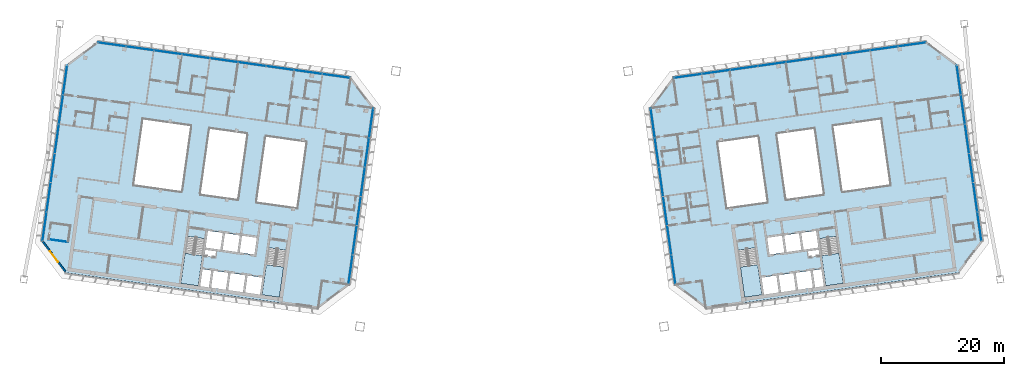
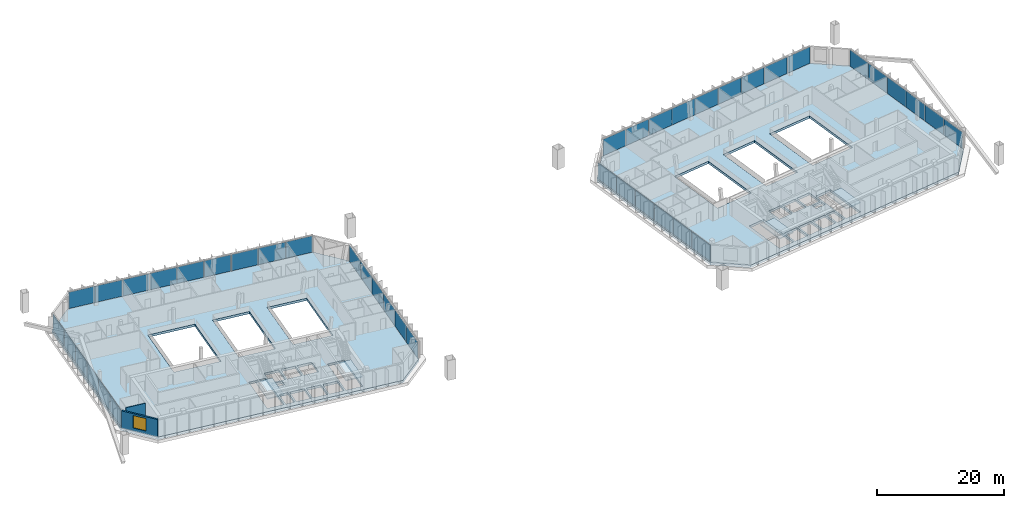
# One storey, part 12 of 23: 42 plates, 6 slabs, 2 walls, 1 window, 1 opening, 10 elements without a shape of their own.
"""IFC4 building model written with IfcOpenShell, lengths in metres."""

import ifcopenshell
import ifcopenshell.guid

model = None  # the IFC model being written
_history = None  # IfcOwnerHistory: only IFC2X3 demands one
_inside = {}  # id of a spatial element -> (the spatial element, [elements in it])
_under = {}  # id of a project, library or spatial element -> (it, [spatial elements below it])
_declared = {}  # id of a project -> (the project, [libraries it declares])
_typed = {}  # id of a type object -> (the type object, [elements of that type])
_made_of = {}  # id of a material, layer set ... -> (it, [elements and type objects made of it])


def new_model(schema):
    """Start an empty IFC model of exactly this schema.

    Asked for "IFC4X3", IfcOpenShell would pick the latest addendum, in which some entities
    have other attributes; the version numbers below select the first issue.
    IFC2X3 requires an IfcOwnerHistory on every rooted entity: one is made here for all.
    """
    global model, _history
    if schema == "IFC4X3":
        model = ifcopenshell.file(schema_version=(4, 3, 0, 0))
    else:
        model = ifcopenshell.file(schema=schema)
    _inside.clear()
    _under.clear()
    _declared.clear()
    _typed.clear()
    _made_of.clear()
    _history = None
    if model.schema == "IFC2X3":
        org = make("IfcOrganization", Name="unknown")
        user = make(
            "IfcPersonAndOrganization",
            ThePerson=make("IfcPerson", FamilyName="unknown"),
            TheOrganization=org,
        )
        app = make(
            "IfcApplication",
            ApplicationDeveloper=org,
            Version="unknown",
            ApplicationFullName="unknown",
            ApplicationIdentifier="unknown",
        )
        _history = make(
            "IfcOwnerHistory",
            OwningUser=user,
            OwningApplication=app,
            ChangeAction="ADDED",
            CreationDate=0,
        )
    return model


def make(cls, **values):
    """One entity of the class cls with the attributes given. An attribute that is None is left unset."""
    return model.create_entity(
        cls, **{name: value for name, value in values.items() if value is not None}
    )


def rooted(cls, **values):
    """An entity with a GlobalId (a new one), such as an element, a storey or a relation."""
    return make(cls, GlobalId=ifcopenshell.guid.new(), OwnerHistory=_history, **values)


def si_unit(unit_type, name, prefix=None):
    """IfcSIUnit, for example si_unit("LENGTHUNIT", "METRE", prefix="MILLI")."""
    return make("IfcSIUnit", UnitType=unit_type, Prefix=prefix, Name=name)


def assignment(units):
    """IfcUnitAssignment: the units of a project."""
    return None if units is None else make("IfcUnitAssignment", Units=units)


def point(xyz):
    """IfcCartesianPoint."""
    return None if xyz is None else make("IfcCartesianPoint", Coordinates=xyz)


def direction(xyz):
    """IfcDirection."""
    return None if xyz is None else make("IfcDirection", DirectionRatios=xyz)


def frame(location, z_axis=None, x_axis=None):
    """IfcAxis2Placement3D, a coordinate frame: its origin and axes. An axis left out is left unset."""
    return make(
        "IfcAxis2Placement3D",
        Location=point(location),
        Axis=direction(z_axis),
        RefDirection=direction(x_axis),
    )


def frame_2d(location, x_axis=None):
    """IfcAxis2Placement2D, a coordinate frame in the plane: its origin and x axis."""
    return make(
        "IfcAxis2Placement2D", Location=point(location), RefDirection=direction(x_axis)
    )


def origin():
    """The frame at (0, 0, 0) with its axes left unset."""
    return frame((0.0, 0.0, 0.0))


def origin_2d():
    """The frame at (0, 0) in the plane with its x axis left unset."""
    return frame_2d((0.0, 0.0))


def place(relative_to, where):
    """IfcLocalPlacement: puts the frame where relative to a parent placement (None: the world)."""
    return make(
        "IfcLocalPlacement", PlacementRelTo=relative_to, RelativePlacement=where
    )


def context(
    kind, dimensions, precision=None, world=None, true_north=None, identifier=None
):
    """IfcGeometricRepresentationContext, for example the 3D "Model" context."""
    return make(
        "IfcGeometricRepresentationContext",
        ContextIdentifier=identifier,
        ContextType=kind,
        CoordinateSpaceDimension=dimensions,
        Precision=precision,
        WorldCoordinateSystem=world,
        TrueNorth=true_north,
    )


def subcontext(parent, identifier, kind, view, scale=None):
    """IfcGeometricRepresentationSubContext, for example "Body" below "Model"."""
    return make(
        "IfcGeometricRepresentationSubContext",
        ContextIdentifier=identifier,
        ContextType=kind,
        ParentContext=parent,
        TargetScale=scale,
        TargetView=view,
    )


def project(units=None, contexts=None):
    """IfcProject with its units and contexts."""
    return rooted(
        "IfcProject",
        Name="project",
        RepresentationContexts=contexts,
        UnitsInContext=assignment(units),
    )


def spatial(cls, under=None, at=None, **own):
    """A site, building, storey or space (cls), placed at a placement, below another one or the project."""
    s = rooted(cls, ObjectPlacement=at, **own)
    if under is not None:
        _under.setdefault(under.id(), (under, []))[1].append(s)
    return s


def polyline(points):
    """IfcPolyline through the points."""
    return make("IfcPolyline", Points=[point(p) for p in points])


def profile(cls, at=None, kind="AREA", **sizes):
    """A parametric profile (cls). Its sizes go by their IFC names, for example OverallWidth=200.0."""
    return make(cls, ProfileType=kind, Position=at, **sizes)


def rectangle(**sizes):
    """IfcRectangleProfileDef."""
    return profile("IfcRectangleProfileDef", **sizes)


def outline(outer, holes=None, kind="AREA"):
    """IfcArbitraryClosedProfileDef: a profile drawn as a closed curve; with holes, ...WithVoids."""
    if holes is None:
        return make("IfcArbitraryClosedProfileDef", ProfileType=kind, OuterCurve=outer)
    return make(
        "IfcArbitraryProfileDefWithVoids",
        ProfileType=kind,
        OuterCurve=outer,
        InnerCurves=holes,
    )


def extrude(swept, where, along, depth):
    """IfcExtrudedAreaSolid: the profile swept, set in the frame where, extruded along a direction by depth."""
    return make(
        "IfcExtrudedAreaSolid",
        SweptArea=swept,
        Position=where,
        ExtrudedDirection=direction(along),
        Depth=depth,
    )


def shape(context_of_items, identifier, shape_type, items):
    """IfcShapeRepresentation: the items that make up one representation, for example the "Body"."""
    return make(
        "IfcShapeRepresentation",
        ContextOfItems=context_of_items,
        RepresentationIdentifier=identifier,
        RepresentationType=shape_type,
        Items=items,
    )


def material(Name=None, Category=None):
    """IfcMaterial."""
    return make("IfcMaterial", Name=Name, Category=Category)


def layer(
    of_material, thickness, ventilated=None, Name=None, Category=None, Priority=None
):
    """IfcMaterialLayer: one layer of a wall or slab, of a material (None: an air gap)."""
    return make(
        "IfcMaterialLayer",
        Material=of_material,
        LayerThickness=thickness,
        IsVentilated=ventilated,
        Name=Name,
        Category=Category,
        Priority=Priority,
    )


def layer_set(layers, Name=None):
    """IfcMaterialLayerSet."""
    return make("IfcMaterialLayerSet", MaterialLayers=layers, LayerSetName=Name)


def made_of(thing, what):
    """Note that an element or type object is made of a material, layer set ...; save() writes the relation."""
    if what is not None:
        _made_of.setdefault(what.id(), (what, []))[1].append(thing)
    return thing


def type_object(cls, material=None, **own):
    """A type object (cls), such as IfcWallType, which elements share."""
    return made_of(rooted(cls, **own), material)


def element(
    cls,
    number,
    at=None,
    inside=None,
    cuts=None,
    type_object=None,
    material=None,
    context=None,
    identifier="Body",
    shape_type=None,
    held_by="IfcProductDefinitionShape",
    body=None,
    shapes=None,
    **own,
):
    """One element of the class cls, such as IfcWall. Its Tag is "e" and its number.

    at: its placement. inside: the storey or other place that contains it. cuts: it is an
    opening in that element (IfcRelVoidsElement). A single representation is given by context,
    identifier, shape_type and body (its items); several are given by shapes. held_by: the class
    of the entity that holds the representations. save() writes the other relations.
    """
    e = rooted(cls, Tag="e%d" % number, ObjectPlacement=at, **own)
    if body is not None:
        shapes = [shape(context, identifier, shape_type, body)]
    if shapes is not None:
        e.Representation = make(held_by, Representations=shapes)
    if inside is not None:
        _inside.setdefault(inside.id(), (inside, []))[1].append(e)
    if cuts is not None:
        rooted(
            "IfcRelVoidsElement", RelatingBuildingElement=cuts, RelatedOpeningElement=e
        )
    if type_object is not None:
        _typed.setdefault(type_object.id(), (type_object, []))[1].append(e)
    return made_of(e, material)


def fill(opening, filler):
    """IfcRelFillsElement: the door or window that sits in an opening."""
    return rooted(
        "IfcRelFillsElement",
        RelatingOpeningElement=opening,
        RelatedBuildingElement=filler,
    )


def aggregate(whole, parts):
    """IfcRelAggregates: a whole, such as a stair, and the parts it consists of."""
    return rooted("IfcRelAggregates", RelatingObject=whole, RelatedObjects=parts)


def save(model, path):
    """Write the relations noted so far, then the file.

    IfcRelAggregates (storeys below a building ...), IfcRelContainedInSpatialStructure (elements
    in a storey), IfcRelDefinesByType, IfcRelAssociatesMaterial and IfcRelDeclares: one each for
    every whole, place, type object, material and project.
    """
    for whole, parts in _under.values():
        aggregate(whole, parts)
    for where, things in _inside.values():
        rooted(
            "IfcRelContainedInSpatialStructure",
            RelatedElements=things,
            RelatingStructure=where,
        )
    for kind, things in _typed.values():
        rooted("IfcRelDefinesByType", RelatedObjects=things, RelatingType=kind)
    for what, things in _made_of.values():
        rooted("IfcRelAssociatesMaterial", RelatedObjects=things, RelatingMaterial=what)
    for by, libraries in _declared.values():
        rooted("IfcRelDeclares", RelatingContext=by, RelatedDefinitions=libraries)
    model.write(path)


model = new_model("IFC4")

# Units and contexts
model_context = context("Model", 3, precision=1e-05, world=origin(), true_north=direction((0.0, 1.0)))
body_context = subcontext(model_context, "Body", "Model", "MODEL_VIEW")
ifc_project = project(units=[si_unit("LENGTHUNIT", "METRE"), si_unit("AREAUNIT", "SQUARE_METRE"), si_unit("VOLUMEUNIT", "CUBIC_METRE"), si_unit("PLANEANGLEUNIT", "RADIAN"), si_unit("MASSUNIT", "GRAM", prefix="KILO")], contexts=[model_context])

# Site, building, storey
site_placement = place(None, origin())
site = spatial("IfcSite", under=ifc_project, at=site_placement, CompositionType="ELEMENT")
building_placement = place(site_placement, origin())
building = spatial("IfcBuilding", under=site, at=building_placement, Name="Mirante Cascada Hotel Towers", CompositionType="ELEMENT")
storey_placement = place(building_placement, frame((0.0, 0.0, 220.4)))
storey = spatial("IfcBuildingStorey", under=building, at=storey_placement, Name="L52", CompositionType="ELEMENT", Elevation=220.4)

# Curtain wall, plates
ifc_material_1 = material(Name="Aluminium mullion and transom frame with clear laminated glass", Category="aluminium")
curtain_wall_type_1 = type_object("IfcCurtainWallType", Name="Ribbon curtain wall ECW1", PredefinedType="NOTDEFINED", material=ifc_material_1)
curtain_wall_1_placement = place(storey_placement, origin())
curtain_wall_1 = element("IfcCurtainWall", 1, at=curtain_wall_1_placement, inside=storey, type_object=curtain_wall_type_1, Name="Front ribbon wall T1 L52", PredefinedType="NOTDEFINED")
ifc_material_2 = material(Name="Clear laminated glass", Category="glass")
ifc_layer_1 = layer(ifc_material_2, 0.036)
ifc_layer_set_1 = layer_set([ifc_layer_1], Name="ECW1 glass panel 36")
plate_type_1 = type_object("IfcPlateType", Name="ECW1 glass panel 36", PredefinedType="CURTAIN_PANEL", material=ifc_layer_set_1)
plate_1_placement = place(storey_placement, frame((-65.1227, 21.9714, 0.1), z_axis=(0.0, 0.0, 1.0), x_axis=(0.9902681, -0.1391731, 0.0)))
plate_1 = element("IfcPlate", 2, at=plate_1_placement, type_object=plate_type_1, Name="ECW1 panel 1", PredefinedType="CURTAIN_PANEL", context=body_context, shape_type="SweptSolid", body=[
    extrude(rectangle(XDim=4.5116, YDim=0.036, at=origin_2d()), origin(), (0.0, 0.0, 1.0), 3.15),
])
plate_2_placement = place(storey_placement, frame((-60.5745, 21.3322, 0.1), z_axis=(0.0, 0.0, 1.0), x_axis=(0.9902681, -0.1391731, 0.0)))
plate_2 = element("IfcPlate", 3, at=plate_2_placement, type_object=plate_type_1, Name="ECW1 panel 2", PredefinedType="CURTAIN_PANEL", context=body_context, shape_type="SweptSolid", body=[
    extrude(rectangle(XDim=4.5441, YDim=0.036, at=origin_2d()), origin(), (0.0, 0.0, 1.0), 3.15),
])
plate_3_placement = place(storey_placement, frame((-56.0102, 20.6907, 0.1), z_axis=(0.0, 0.0, 1.0), x_axis=(0.9902681, -0.1391731, 0.0)))
plate_3 = element("IfcPlate", 4, at=plate_3_placement, type_object=plate_type_1, Name="ECW1 panel 3", PredefinedType="CURTAIN_PANEL", context=body_context, shape_type="SweptSolid", body=[
    extrude(rectangle(XDim=4.5441, YDim=0.036, at=origin_2d()), origin(), (0.0, 0.0, 1.0), 3.15),
])
plate_4_placement = place(storey_placement, frame((-51.4459, 20.0493, 0.1), z_axis=(0.0, 0.0, 1.0), x_axis=(0.9902681, -0.1391731, 0.0)))
plate_4 = element("IfcPlate", 5, at=plate_4_placement, type_object=plate_type_1, Name="ECW1 panel 4", PredefinedType="CURTAIN_PANEL", context=body_context, shape_type="SweptSolid", body=[
    extrude(rectangle(XDim=4.5441, YDim=0.036, at=origin_2d()), origin(), (0.0, 0.0, 1.0), 3.15),
])
plate_5_placement = place(storey_placement, frame((-46.8816, 19.4078, 0.1), z_axis=(0.0, 0.0, 1.0), x_axis=(0.9902681, -0.1391731, 0.0)))
plate_5 = element("IfcPlate", 6, at=plate_5_placement, type_object=plate_type_1, Name="ECW1 panel 5", PredefinedType="CURTAIN_PANEL", context=body_context, shape_type="SweptSolid", body=[
    extrude(rectangle(XDim=4.5441, YDim=0.036, at=origin_2d()), origin(), (0.0, 0.0, 1.0), 3.15),
])
plate_6_placement = place(storey_placement, frame((-42.3174, 18.7663, 0.1), z_axis=(0.0, 0.0, 1.0), x_axis=(0.9902681, -0.1391731, 0.0)))
plate_6 = element("IfcPlate", 7, at=plate_6_placement, type_object=plate_type_1, Name="ECW1 panel 6", PredefinedType="CURTAIN_PANEL", context=body_context, shape_type="SweptSolid", body=[
    extrude(rectangle(XDim=4.5441, YDim=0.036, at=origin_2d()), origin(), (0.0, 0.0, 1.0), 3.15),
])
plate_7_placement = place(storey_placement, frame((-37.7531, 18.1249, 0.1), z_axis=(0.0, 0.0, 1.0), x_axis=(0.9902681, -0.1391731, 0.0)))
plate_7 = element("IfcPlate", 8, at=plate_7_placement, type_object=plate_type_1, Name="ECW1 panel 7", PredefinedType="CURTAIN_PANEL", context=body_context, shape_type="SweptSolid", body=[
    extrude(rectangle(XDim=4.5441, YDim=0.036, at=origin_2d()), origin(), (0.0, 0.0, 1.0), 3.15),
])
plate_8_placement = place(storey_placement, frame((-33.1888, 17.4834, 0.1), z_axis=(0.0, 0.0, 1.0), x_axis=(0.9902681, -0.1391731, 0.0)))
plate_8 = element("IfcPlate", 9, at=plate_8_placement, type_object=plate_type_1, Name="ECW1 panel 8", PredefinedType="CURTAIN_PANEL", context=body_context, shape_type="SweptSolid", body=[
    extrude(rectangle(XDim=4.5441, YDim=0.036, at=origin_2d()), origin(), (0.0, 0.0, 1.0), 3.15),
])
plate_9_placement = place(storey_placement, frame((-28.6406, 16.8442, 0.1), z_axis=(0.0, 0.0, 1.0), x_axis=(0.9902681, -0.1391731, 0.0)))
plate_9 = element("IfcPlate", 10, at=plate_9_placement, type_object=plate_type_1, Name="ECW1 panel 9", PredefinedType="CURTAIN_PANEL", context=body_context, shape_type="SweptSolid", body=[
    extrude(rectangle(XDim=4.5116, YDim=0.036, at=origin_2d()), origin(), (0.0, 0.0, 1.0), 3.15),
])
aggregate(curtain_wall_1, [plate_1, plate_2, plate_3, plate_4, plate_5, plate_6, plate_7, plate_8, plate_9])

curtain_wall_2_placement = place(storey_placement, origin())
curtain_wall_2 = element("IfcCurtainWall", 11, at=curtain_wall_2_placement, inside=storey, type_object=curtain_wall_type_1, Name="Front ribbon wall T2 L52", PredefinedType="NOTDEFINED")
plate_10_placement = place(storey_placement, frame((65.1227, 21.9714, 0.1), z_axis=(0.0, 0.0, 1.0), x_axis=(-0.9902681, -0.1391731, 0.0)))
plate_10 = element("IfcPlate", 12, at=plate_10_placement, type_object=plate_type_1, Name="ECW1 panel 1", PredefinedType="CURTAIN_PANEL", context=body_context, shape_type="SweptSolid", body=[
    extrude(rectangle(XDim=4.5116, YDim=0.036, at=origin_2d()), origin(), (0.0, 0.0, 1.0), 3.15),
])
plate_11_placement = place(storey_placement, frame((60.5745, 21.3322, 0.1), z_axis=(0.0, 0.0, 1.0), x_axis=(-0.9902681, -0.1391731, 0.0)))
plate_11 = element("IfcPlate", 13, at=plate_11_placement, type_object=plate_type_1, Name="ECW1 panel 2", PredefinedType="CURTAIN_PANEL", context=body_context, shape_type="SweptSolid", body=[
    extrude(rectangle(XDim=4.5441, YDim=0.036, at=origin_2d()), origin(), (0.0, 0.0, 1.0), 3.15),
])
plate_12_placement = place(storey_placement, frame((56.0102, 20.6907, 0.1), z_axis=(0.0, 0.0, 1.0), x_axis=(-0.9902681, -0.1391731, 0.0)))
plate_12 = element("IfcPlate", 14, at=plate_12_placement, type_object=plate_type_1, Name="ECW1 panel 3", PredefinedType="CURTAIN_PANEL", context=body_context, shape_type="SweptSolid", body=[
    extrude(rectangle(XDim=4.5441, YDim=0.036, at=origin_2d()), origin(), (0.0, 0.0, 1.0), 3.15),
])
plate_13_placement = place(storey_placement, frame((51.4459, 20.0493, 0.1), z_axis=(0.0, 0.0, 1.0), x_axis=(-0.9902681, -0.1391731, 0.0)))
plate_13 = element("IfcPlate", 15, at=plate_13_placement, type_object=plate_type_1, Name="ECW1 panel 4", PredefinedType="CURTAIN_PANEL", context=body_context, shape_type="SweptSolid", body=[
    extrude(rectangle(XDim=4.5441, YDim=0.036, at=origin_2d()), origin(), (0.0, 0.0, 1.0), 3.15),
])
plate_14_placement = place(storey_placement, frame((46.8816, 19.4078, 0.1), z_axis=(0.0, 0.0, 1.0), x_axis=(-0.9902681, -0.1391731, 0.0)))
plate_14 = element("IfcPlate", 16, at=plate_14_placement, type_object=plate_type_1, Name="ECW1 panel 5", PredefinedType="CURTAIN_PANEL", context=body_context, shape_type="SweptSolid", body=[
    extrude(rectangle(XDim=4.5441, YDim=0.036, at=origin_2d()), origin(), (0.0, 0.0, 1.0), 3.15),
])
plate_15_placement = place(storey_placement, frame((42.3174, 18.7663, 0.1), z_axis=(0.0, 0.0, 1.0), x_axis=(-0.9902681, -0.1391731, 0.0)))
plate_15 = element("IfcPlate", 17, at=plate_15_placement, type_object=plate_type_1, Name="ECW1 panel 6", PredefinedType="CURTAIN_PANEL", context=body_context, shape_type="SweptSolid", body=[
    extrude(rectangle(XDim=4.5441, YDim=0.036, at=origin_2d()), origin(), (0.0, 0.0, 1.0), 3.15),
])
plate_16_placement = place(storey_placement, frame((37.7531, 18.1249, 0.1), z_axis=(0.0, 0.0, 1.0), x_axis=(-0.9902681, -0.1391731, 0.0)))
plate_16 = element("IfcPlate", 18, at=plate_16_placement, type_object=plate_type_1, Name="ECW1 panel 7", PredefinedType="CURTAIN_PANEL", context=body_context, shape_type="SweptSolid", body=[
    extrude(rectangle(XDim=4.5441, YDim=0.036, at=origin_2d()), origin(), (0.0, 0.0, 1.0), 3.15),
])
plate_17_placement = place(storey_placement, frame((33.1888, 17.4834, 0.1), z_axis=(0.0, 0.0, 1.0), x_axis=(-0.9902681, -0.1391731, 0.0)))
plate_17 = element("IfcPlate", 19, at=plate_17_placement, type_object=plate_type_1, Name="ECW1 panel 8", PredefinedType="CURTAIN_PANEL", context=body_context, shape_type="SweptSolid", body=[
    extrude(rectangle(XDim=4.5441, YDim=0.036, at=origin_2d()), origin(), (0.0, 0.0, 1.0), 3.15),
])
plate_18_placement = place(storey_placement, frame((28.6406, 16.8442, 0.1), z_axis=(0.0, 0.0, 1.0), x_axis=(-0.9902681, -0.1391731, 0.0)))
plate_18 = element("IfcPlate", 20, at=plate_18_placement, type_object=plate_type_1, Name="ECW1 panel 9", PredefinedType="CURTAIN_PANEL", context=body_context, shape_type="SweptSolid", body=[
    extrude(rectangle(XDim=4.5116, YDim=0.036, at=origin_2d()), origin(), (0.0, 0.0, 1.0), 3.15),
])
aggregate(curtain_wall_2, [plate_10, plate_11, plate_12, plate_13, plate_14, plate_15, plate_16, plate_17, plate_18])

ifc_material_3 = material(Name="Aluminium mullion and transom frame with clear laminated glass", Category="aluminium")
curtain_wall_type_2 = type_object("IfcCurtainWallType", Name="End ribbon curtain wall ECW2", PredefinedType="NOTDEFINED", material=ifc_material_3)
curtain_wall_3_placement = place(storey_placement, origin())
curtain_wall_3 = element("IfcCurtainWall", 21, at=curtain_wall_3_placement, inside=storey, type_object=curtain_wall_type_2, Name="Inner end wall T1 L52", PredefinedType="NOTDEFINED")
ifc_material_4 = material(Name="Clear laminated glass", Category="glass")
ifc_layer_2 = layer(ifc_material_4, 0.034)
ifc_layer_set_2 = layer_set([ifc_layer_2], Name="ECW2 glass panel 34")
plate_type_2 = type_object("IfcPlateType", Name="ECW2 glass panel 34", PredefinedType="CURTAIN_PANEL", material=ifc_layer_set_2)
plate_19_placement = place(storey_placement, frame((-22.9244, 9.139, 0.1), z_axis=(0.0, 0.0, 1.0), x_axis=(-0.1391731, -0.9902681, 0.0)))
plate_19 = element("IfcPlate", 22, at=plate_19_placement, type_object=plate_type_2, Name="ECW2 panel 1", PredefinedType="CURTAIN_PANEL", context=body_context, shape_type="SweptSolid", body=[
    extrude(rectangle(XDim=4.7151, YDim=0.034, at=origin_2d()), origin(), (0.0, 0.0, 1.0), 3.15),
])
plate_20_placement = place(storey_placement, frame((-23.5919, 4.3893, 0.1), z_axis=(0.0, 0.0, 1.0), x_axis=(-0.1391731, -0.9902681, 0.0)))
plate_20 = element("IfcPlate", 23, at=plate_20_placement, type_object=plate_type_2, Name="ECW2 panel 2", PredefinedType="CURTAIN_PANEL", context=body_context, shape_type="SweptSolid", body=[
    extrude(rectangle(XDim=4.7476, YDim=0.034, at=origin_2d()), origin(), (0.0, 0.0, 1.0), 3.15),
])
plate_21_placement = place(storey_placement, frame((-24.2617, -0.3765, 0.1), z_axis=(0.0, 0.0, 1.0), x_axis=(-0.1391731, -0.9902681, 0.0)))
plate_21 = element("IfcPlate", 24, at=plate_21_placement, type_object=plate_type_2, Name="ECW2 panel 3", PredefinedType="CURTAIN_PANEL", context=body_context, shape_type="SweptSolid", body=[
    extrude(rectangle(XDim=4.7476, YDim=0.034, at=origin_2d()), origin(), (0.0, 0.0, 1.0), 3.15),
])
plate_22_placement = place(storey_placement, frame((-24.9315, -5.1423, 0.1), z_axis=(0.0, 0.0, 1.0), x_axis=(-0.1391731, -0.9902681, 0.0)))
plate_22 = element("IfcPlate", 25, at=plate_22_placement, type_object=plate_type_2, Name="ECW2 panel 4", PredefinedType="CURTAIN_PANEL", context=body_context, shape_type="SweptSolid", body=[
    extrude(rectangle(XDim=4.7476, YDim=0.034, at=origin_2d()), origin(), (0.0, 0.0, 1.0), 3.15),
])
plate_23_placement = place(storey_placement, frame((-25.6013, -9.9081, 0.1), z_axis=(0.0, 0.0, 1.0), x_axis=(-0.1391731, -0.9902681, 0.0)))
plate_23 = element("IfcPlate", 26, at=plate_23_placement, type_object=plate_type_2, Name="ECW2 panel 5", PredefinedType="CURTAIN_PANEL", context=body_context, shape_type="SweptSolid", body=[
    extrude(rectangle(XDim=4.7476, YDim=0.034, at=origin_2d()), origin(), (0.0, 0.0, 1.0), 3.15),
])
plate_24_placement = place(storey_placement, frame((-26.2688, -14.6578, 0.1), z_axis=(0.0, 0.0, 1.0), x_axis=(-0.1391731, -0.9902681, 0.0)))
plate_24 = element("IfcPlate", 27, at=plate_24_placement, type_object=plate_type_2, Name="ECW2 panel 6", PredefinedType="CURTAIN_PANEL", context=body_context, shape_type="SweptSolid", body=[
    extrude(rectangle(XDim=4.7151, YDim=0.034, at=origin_2d()), origin(), (0.0, 0.0, 1.0), 3.15),
])
aggregate(curtain_wall_3, [plate_19, plate_20, plate_21, plate_22, plate_23, plate_24])

curtain_wall_4_placement = place(storey_placement, origin())
curtain_wall_4 = element("IfcCurtainWall", 28, at=curtain_wall_4_placement, inside=storey, type_object=curtain_wall_type_2, Name="Outer end wall T1 L52", PredefinedType="NOTDEFINED")
plate_25_placement = place(storey_placement, frame((-75.4182, -2.9068, 0.1), z_axis=(0.0, 0.0, 1.0), x_axis=(0.1391731, 0.9902681, 0.0)))
plate_25 = element("IfcPlate", 29, at=plate_25_placement, type_object=plate_type_2, Name="ECW2 panel 2", PredefinedType="CURTAIN_PANEL", context=body_context, shape_type="SweptSolid", body=[
    extrude(rectangle(XDim=4.7476, YDim=0.034, at=origin_2d()), origin(), (0.0, 0.0, 1.0), 3.15),
])
plate_26_placement = place(storey_placement, frame((-74.7484, 1.859, 0.1), z_axis=(0.0, 0.0, 1.0), x_axis=(0.1391731, 0.9902681, 0.0)))
plate_26 = element("IfcPlate", 30, at=plate_26_placement, type_object=plate_type_2, Name="ECW2 panel 3", PredefinedType="CURTAIN_PANEL", context=body_context, shape_type="SweptSolid", body=[
    extrude(rectangle(XDim=4.7476, YDim=0.034, at=origin_2d()), origin(), (0.0, 0.0, 1.0), 3.15),
])
plate_27_placement = place(storey_placement, frame((-74.0786, 6.6248, 0.1), z_axis=(0.0, 0.0, 1.0), x_axis=(0.1391731, 0.9902681, 0.0)))
plate_27 = element("IfcPlate", 31, at=plate_27_placement, type_object=plate_type_2, Name="ECW2 panel 4", PredefinedType="CURTAIN_PANEL", context=body_context, shape_type="SweptSolid", body=[
    extrude(rectangle(XDim=4.7476, YDim=0.034, at=origin_2d()), origin(), (0.0, 0.0, 1.0), 3.15),
])
plate_28_placement = place(storey_placement, frame((-73.4088, 11.3906, 0.1), z_axis=(0.0, 0.0, 1.0), x_axis=(0.1391731, 0.9902681, 0.0)))
plate_28 = element("IfcPlate", 32, at=plate_28_placement, type_object=plate_type_2, Name="ECW2 panel 5", PredefinedType="CURTAIN_PANEL", context=body_context, shape_type="SweptSolid", body=[
    extrude(rectangle(XDim=4.7476, YDim=0.034, at=origin_2d()), origin(), (0.0, 0.0, 1.0), 3.15),
])

curtain_wall_5_placement = place(storey_placement, origin())
curtain_wall_5 = element("IfcCurtainWall", 33, at=curtain_wall_5_placement, inside=storey, type_object=curtain_wall_type_2, Name="Inner end wall T2 L52", PredefinedType="NOTDEFINED")
plate_29_placement = place(storey_placement, frame((22.9244, 9.139, 0.1), z_axis=(0.0, 0.0, 1.0), x_axis=(0.1391731, -0.9902681, 0.0)))
plate_29 = element("IfcPlate", 34, at=plate_29_placement, type_object=plate_type_2, Name="ECW2 panel 1", PredefinedType="CURTAIN_PANEL", context=body_context, shape_type="SweptSolid", body=[
    extrude(rectangle(XDim=4.7151, YDim=0.034, at=origin_2d()), origin(), (0.0, 0.0, 1.0), 3.15),
])
plate_30_placement = place(storey_placement, frame((23.5919, 4.3893, 0.1), z_axis=(0.0, 0.0, 1.0), x_axis=(0.1391731, -0.9902681, 0.0)))
plate_30 = element("IfcPlate", 35, at=plate_30_placement, type_object=plate_type_2, Name="ECW2 panel 2", PredefinedType="CURTAIN_PANEL", context=body_context, shape_type="SweptSolid", body=[
    extrude(rectangle(XDim=4.7476, YDim=0.034, at=origin_2d()), origin(), (0.0, 0.0, 1.0), 3.15),
])
plate_31_placement = place(storey_placement, frame((24.2617, -0.3765, 0.1), z_axis=(0.0, 0.0, 1.0), x_axis=(0.1391731, -0.9902681, 0.0)))
plate_31 = element("IfcPlate", 36, at=plate_31_placement, type_object=plate_type_2, Name="ECW2 panel 3", PredefinedType="CURTAIN_PANEL", context=body_context, shape_type="SweptSolid", body=[
    extrude(rectangle(XDim=4.7476, YDim=0.034, at=origin_2d()), origin(), (0.0, 0.0, 1.0), 3.15),
])
plate_32_placement = place(storey_placement, frame((24.9315, -5.1423, 0.1), z_axis=(0.0, 0.0, 1.0), x_axis=(0.1391731, -0.9902681, 0.0)))
plate_32 = element("IfcPlate", 37, at=plate_32_placement, type_object=plate_type_2, Name="ECW2 panel 4", PredefinedType="CURTAIN_PANEL", context=body_context, shape_type="SweptSolid", body=[
    extrude(rectangle(XDim=4.7476, YDim=0.034, at=origin_2d()), origin(), (0.0, 0.0, 1.0), 3.15),
])
plate_33_placement = place(storey_placement, frame((25.6013, -9.9081, 0.1), z_axis=(0.0, 0.0, 1.0), x_axis=(0.1391731, -0.9902681, 0.0)))
plate_33 = element("IfcPlate", 38, at=plate_33_placement, type_object=plate_type_2, Name="ECW2 panel 5", PredefinedType="CURTAIN_PANEL", context=body_context, shape_type="SweptSolid", body=[
    extrude(rectangle(XDim=4.7476, YDim=0.034, at=origin_2d()), origin(), (0.0, 0.0, 1.0), 3.15),
])
plate_34_placement = place(storey_placement, frame((26.2688, -14.6578, 0.1), z_axis=(0.0, 0.0, 1.0), x_axis=(0.1391731, -0.9902681, 0.0)))
plate_34 = element("IfcPlate", 39, at=plate_34_placement, type_object=plate_type_2, Name="ECW2 panel 6", PredefinedType="CURTAIN_PANEL", context=body_context, shape_type="SweptSolid", body=[
    extrude(rectangle(XDim=4.7151, YDim=0.034, at=origin_2d()), origin(), (0.0, 0.0, 1.0), 3.15),
])
aggregate(curtain_wall_5, [plate_29, plate_30, plate_31, plate_32, plate_33, plate_34])

curtain_wall_6_placement = place(storey_placement, origin())
curtain_wall_6 = element("IfcCurtainWall", 40, at=curtain_wall_6_placement, inside=storey, type_object=curtain_wall_type_2, Name="Outer end wall T2 L52", PredefinedType="NOTDEFINED")
plate_35_placement = place(storey_placement, frame((75.4182, -2.9068, 0.1), z_axis=(0.0, 0.0, 1.0), x_axis=(-0.1391731, 0.9902681, 0.0)))
plate_35 = element("IfcPlate", 41, at=plate_35_placement, type_object=plate_type_2, Name="ECW2 panel 2", PredefinedType="CURTAIN_PANEL", context=body_context, shape_type="SweptSolid", body=[
    extrude(rectangle(XDim=4.7476, YDim=0.034, at=origin_2d()), origin(), (0.0, 0.0, 1.0), 3.15),
])
plate_36_placement = place(storey_placement, frame((74.7484, 1.859, 0.1), z_axis=(0.0, 0.0, 1.0), x_axis=(-0.1391731, 0.9902681, 0.0)))
plate_36 = element("IfcPlate", 42, at=plate_36_placement, type_object=plate_type_2, Name="ECW2 panel 3", PredefinedType="CURTAIN_PANEL", context=body_context, shape_type="SweptSolid", body=[
    extrude(rectangle(XDim=4.7476, YDim=0.034, at=origin_2d()), origin(), (0.0, 0.0, 1.0), 3.15),
])
plate_37_placement = place(storey_placement, frame((74.0786, 6.6248, 0.1), z_axis=(0.0, 0.0, 1.0), x_axis=(-0.1391731, 0.9902681, 0.0)))
plate_37 = element("IfcPlate", 43, at=plate_37_placement, type_object=plate_type_2, Name="ECW2 panel 4", PredefinedType="CURTAIN_PANEL", context=body_context, shape_type="SweptSolid", body=[
    extrude(rectangle(XDim=4.7476, YDim=0.034, at=origin_2d()), origin(), (0.0, 0.0, 1.0), 3.15),
])
plate_38_placement = place(storey_placement, frame((73.4088, 11.3906, 0.1), z_axis=(0.0, 0.0, 1.0), x_axis=(-0.1391731, 0.9902681, 0.0)))
plate_38 = element("IfcPlate", 44, at=plate_38_placement, type_object=plate_type_2, Name="ECW2 panel 5", PredefinedType="CURTAIN_PANEL", context=body_context, shape_type="SweptSolid", body=[
    extrude(rectangle(XDim=4.7476, YDim=0.034, at=origin_2d()), origin(), (0.0, 0.0, 1.0), 3.15),
])

# Plate
ifc_material_5 = material(Name="Insulated aluminium spandrel panel", Category="aluminium")
ifc_layer_3 = layer(ifc_material_5, 0.034)
ifc_layer_set_3 = layer_set([ifc_layer_3], Name="ECW2 spandrel panel 34")
plate_type_3 = type_object("IfcPlateType", Name="ECW2 spandrel panel 34", PredefinedType="CURTAIN_PANEL", material=ifc_layer_set_3)
plate_39_placement = place(storey_placement, frame((-76.0857, -7.6565, 0.1), z_axis=(0.0, 0.0, 1.0), x_axis=(0.1391731, 0.9902681, 0.0)))
plate_39 = element("IfcPlate", 45, at=plate_39_placement, type_object=plate_type_3, Name="ECW2 panel 1", PredefinedType="CURTAIN_PANEL", context=body_context, shape_type="SweptSolid", body=[
    extrude(rectangle(XDim=4.7151, YDim=0.034, at=origin_2d()), origin(), (0.0, 0.0, 1.0), 3.15),
])

plate_40_placement = place(storey_placement, frame((-72.7413, 16.1403, 0.1), z_axis=(0.0, 0.0, 1.0), x_axis=(0.1391731, 0.9902681, 0.0)))
plate_40 = element("IfcPlate", 46, at=plate_40_placement, type_object=plate_type_3, Name="ECW2 panel 6", PredefinedType="CURTAIN_PANEL", context=body_context, shape_type="SweptSolid", body=[
    extrude(rectangle(XDim=4.7151, YDim=0.034, at=origin_2d()), origin(), (0.0, 0.0, 1.0), 3.15),
])

aggregate(curtain_wall_4, [plate_39, plate_25, plate_26, plate_27, plate_28, plate_40])

plate_41_placement = place(storey_placement, frame((76.0857, -7.6565, 0.1), z_axis=(0.0, 0.0, 1.0), x_axis=(-0.1391731, 0.9902681, 0.0)))
plate_41 = element("IfcPlate", 47, at=plate_41_placement, type_object=plate_type_3, Name="ECW2 panel 1", PredefinedType="CURTAIN_PANEL", context=body_context, shape_type="SweptSolid", body=[
    extrude(rectangle(XDim=4.7151, YDim=0.034, at=origin_2d()), origin(), (0.0, 0.0, 1.0), 3.15),
])

plate_42_placement = place(storey_placement, frame((72.7413, 16.1403, 0.1), z_axis=(0.0, 0.0, 1.0), x_axis=(-0.1391731, 0.9902681, 0.0)))
plate_42 = element("IfcPlate", 48, at=plate_42_placement, type_object=plate_type_3, Name="ECW2 panel 6", PredefinedType="CURTAIN_PANEL", context=body_context, shape_type="SweptSolid", body=[
    extrude(rectangle(XDim=4.7151, YDim=0.034, at=origin_2d()), origin(), (0.0, 0.0, 1.0), 3.15),
])

aggregate(curtain_wall_6, [plate_41, plate_35, plate_36, plate_37, plate_38, plate_42])

# Stair, slab
ifc_material_6 = material(Name="Concrete C35/45", Category="concrete")
stair_type = type_object("IfcStairType", Name="Exit stair half-turn 1350 concrete C35/45", PredefinedType="HALF_TURN_STAIR", material=ifc_material_6)
stair_1_placement = place(storey_placement, origin())
stair_1 = element("IfcStair", 49, at=stair_1_placement, inside=storey, type_object=stair_type, Name="L52 Exit stair A", PredefinedType="HALF_TURN_STAIR")
ifc_material_7 = material(Name="Concrete C35/45", Category="concrete")
ifc_layer_4 = layer(ifc_material_7, 0.2)
ifc_layer_set_4 = layer_set([ifc_layer_4], Name="Exit stair landing 200 concrete C35/45")
slab_type_1 = type_object("IfcSlabType", Name="Exit stair landing 200 concrete C35/45", PredefinedType="LANDING", material=ifc_layer_set_4)
slab_1_placement = place(storey_placement, frame((0.0, 0.0, 1.7)))
slab_1 = element("IfcSlab", 50, at=slab_1_placement, type_object=slab_type_1, Name="ST1-A landing 1", PredefinedType="LANDING", context=body_context, shape_type="SweptSolid", body=[
    extrude(outline(polyline([(-39.9987, -13.8659), (-40.6887, -18.7757), (-37.8665, -19.1723), (-37.1765, -14.2626), (-39.9987, -13.8659)])), origin(), (0.0, 0.0, 1.0), 0.2),
])
aggregate(stair_1, [slab_1])

stair_2_placement = place(storey_placement, origin())
stair_2 = element("IfcStair", 51, at=stair_2_placement, inside=storey, type_object=stair_type, Name="L52 Exit stair B", PredefinedType="HALF_TURN_STAIR")
slab_2_placement = place(storey_placement, frame((0.0, 0.0, 1.7)))
slab_2 = element("IfcSlab", 52, at=slab_2_placement, type_object=slab_type_1, Name="ST1-B landing 1", PredefinedType="LANDING", context=body_context, shape_type="SweptSolid", body=[
    extrude(outline(polyline([(-53.2188, -12.008), (-53.9088, -16.9177), (-51.0866, -17.3144), (-50.3965, -12.4046), (-53.2188, -12.008)])), origin(), (0.0, 0.0, 1.0), 0.2),
])
aggregate(stair_2, [slab_2])

stair_3_placement = place(storey_placement, origin())
stair_3 = element("IfcStair", 53, at=stair_3_placement, inside=storey, type_object=stair_type, Name="L52 Exit stair A", PredefinedType="HALF_TURN_STAIR")
slab_3_placement = place(storey_placement, frame((0.0, 0.0, 1.7)))
slab_3 = element("IfcSlab", 54, at=slab_3_placement, type_object=slab_type_1, Name="ST2-A landing 1", PredefinedType="LANDING", context=body_context, shape_type="SweptSolid", body=[
    extrude(outline(polyline([(37.1765, -14.2626), (37.8665, -19.1723), (40.6887, -18.7757), (39.9987, -13.8659), (37.1765, -14.2626)])), origin(), (0.0, 0.0, 1.0), 0.2),
])
aggregate(stair_3, [slab_3])

stair_4_placement = place(storey_placement, origin())
stair_4 = element("IfcStair", 55, at=stair_4_placement, inside=storey, type_object=stair_type, Name="L52 Exit stair B", PredefinedType="HALF_TURN_STAIR")
slab_4_placement = place(storey_placement, frame((0.0, 0.0, 1.7)))
slab_4 = element("IfcSlab", 56, at=slab_4_placement, type_object=slab_type_1, Name="ST2-B landing 1", PredefinedType="LANDING", context=body_context, shape_type="SweptSolid", body=[
    extrude(outline(polyline([(50.3965, -12.4046), (51.0866, -17.3144), (53.9088, -16.9177), (53.2188, -12.008), (50.3965, -12.4046)])), origin(), (0.0, 0.0, 1.0), 0.2),
])
aggregate(stair_4, [slab_4])

# Slabs
ifc_material_8 = material(Name="Concrete C40/50", Category="concrete")
ifc_layer_5 = layer(ifc_material_8, 0.45)
ifc_layer_set_5 = layer_set([ifc_layer_5], Name="Post-tensioned flat plate 450 Concrete C40/50")
slab_type_2 = type_object("IfcSlabType", Name="Post-tensioned flat plate 450 Concrete C40/50", PredefinedType="FLOOR", material=ifc_layer_set_5)
slab_5_placement = place(storey_placement, frame((0.0, 0.0, -0.45)))
element("IfcSlab", 57, at=slab_5_placement, inside=storey, type_object=slab_type_2, Name="Floor T1 L52", PredefinedType="FLOOR", context=body_context, shape_type="SweptSolid", body=[
    extrude(outline(polyline([(-26.466, -17.1392), (-22.43, 11.5786), (-26.26, 16.6611), (-67.4616, 22.4516), (-72.5441, 18.6217), (-76.5801, -10.0961), (-72.7501, -15.1786), (-31.5485, -20.9691), (-26.466, -17.1392)]), holes=[polyline([(-40.5961, -15.9612), (-40.9858, -18.7339), (-43.4615, -18.386), (-43.0718, -15.6132), (-40.5961, -15.9612)]), polyline([(-43.3689, -15.5715), (-43.7586, -18.3442), (-46.2342, -17.9963), (-45.8446, -15.2236), (-43.3689, -15.5715)]), polyline([(-46.1416, -15.1818), (-46.5313, -17.9546), (-49.007, -17.6066), (-48.6173, -14.8339), (-46.1416, -15.1818)]), polyline([(-36.7887, -11.5037), (-37.8665, -19.1723), (-40.6887, -18.7757), (-39.611, -11.107), (-36.7887, -11.5037)]), polyline([(-43.9775, -9.124), (-41.5018, -9.472), (-41.8915, -12.2447), (-44.3672, -11.8968), (-43.9775, -9.124)]), polyline([(-44.2746, -9.0823), (-44.6643, -11.855), (-47.1399, -11.5071), (-46.7503, -8.7344), (-44.2746, -9.0823)]), polyline([(-50.3998, -14.5834), (-48.9144, -14.7921), (-49.3041, -17.5649), (-50.7895, -17.3561), (-50.3998, -14.5834)]), polyline([(-50.0088, -9.6457), (-51.0866, -17.3144), (-53.9088, -16.9177), (-52.8311, -9.2491), (-50.0088, -9.6457)]), polyline([(-48.1472, -11.6685), (-48.2829, -12.634), (-50.0901, -12.38), (-49.9544, -11.4145), (-48.1472, -11.6685)]), polyline([(-49.523, -8.3447), (-47.0473, -8.6926), (-47.437, -11.4654), (-49.9127, -11.1174), (-49.523, -8.3447)]), polyline([(-52.2227, 8.7979), (-53.7536, -2.0951), (-53.7536, -2.0951), (-61.6666, -0.983), (-60.1357, 9.91), (-52.2227, 8.7979)]), polyline([(-43.0668, 7.5111), (-44.5977, -3.3818), (-50.7808, -2.5129), (-49.2499, 8.3801), (-43.0668, 7.5111)]), polyline([(-33.3985, 6.1523), (-34.9294, -4.7406), (-41.6249, -3.7996), (-40.094, 7.0933), (-33.3985, 6.1523)])]), origin(), (0.0, 0.0, 1.0), 0.45),
])
slab_6_placement = place(storey_placement, frame((0.0, 0.0, -0.45)))
element("IfcSlab", 58, at=slab_6_placement, inside=storey, type_object=slab_type_2, Name="Floor T2 L52", PredefinedType="FLOOR", context=body_context, shape_type="SweptSolid", body=[
    extrude(outline(polyline([(26.466, -17.1392), (22.43, 11.5786), (26.26, 16.6611), (67.4616, 22.4516), (72.5441, 18.6217), (76.5801, -10.0961), (72.7501, -15.1786), (31.5485, -20.9691), (26.466, -17.1392)]), holes=[polyline([(40.5961, -15.9612), (40.9858, -18.7339), (43.4615, -18.386), (43.0718, -15.6132), (40.5961, -15.9612)]), polyline([(43.3689, -15.5715), (43.7586, -18.3442), (46.2342, -17.9963), (45.8446, -15.2236), (43.3689, -15.5715)]), polyline([(46.1416, -15.1818), (46.5313, -17.9546), (49.007, -17.6066), (48.6173, -14.8339), (46.1416, -15.1818)]), polyline([(37.8665, -19.1723), (40.6887, -18.7757), (39.611, -11.107), (36.7887, -11.5037), (37.8665, -19.1723)]), polyline([(43.9775, -9.124), (41.5018, -9.472), (41.8915, -12.2447), (44.3672, -11.8968), (43.9775, -9.124)]), polyline([(44.2746, -9.0823), (44.6643, -11.855), (47.1399, -11.5071), (46.7503, -8.7344), (44.2746, -9.0823)]), polyline([(50.3998, -14.5834), (48.9144, -14.7921), (49.3041, -17.5649), (50.7895, -17.3561), (50.3998, -14.5834)]), polyline([(51.0866, -17.3144), (53.9088, -16.9177), (52.8311, -9.2491), (50.0088, -9.6457), (51.0866, -17.3144)]), polyline([(48.1472, -11.6685), (48.2829, -12.634), (50.0901, -12.38), (49.9544, -11.4145), (48.1472, -11.6685)]), polyline([(49.523, -8.3447), (47.0473, -8.6926), (47.437, -11.4654), (49.9127, -11.1174), (49.523, -8.3447)]), polyline([(60.1357, 9.91), (61.6666, -0.983), (53.7536, -2.0951), (53.7536, -2.0951), (52.2227, 8.7979), (60.1357, 9.91)]), polyline([(49.2499, 8.3801), (50.7808, -2.5129), (44.5977, -3.3818), (43.0668, 7.5111), (49.2499, 8.3801)]), polyline([(34.9294, -4.7406), (33.3985, 6.1523), (40.094, 7.0933), (41.6249, -3.7996), (34.9294, -4.7406)])]), origin(), (0.0, 0.0, 1.0), 0.45),
])

# Wall
ifc_material_9 = material(Name="Plasterboard on metal studs")
ifc_layer_6 = layer(ifc_material_9, 0.1)
ifc_layer_set_6 = layer_set([ifc_layer_6], Name="Partition 100")
wall_type_1 = type_object("IfcWallType", Name="Partition 100", PredefinedType="PARTITIONING", material=ifc_layer_set_6)
wall_1_placement = place(storey_placement, frame((-75.4707, -9.7471, 0.0), z_axis=(0.0, 0.0, 1.0), x_axis=(0.990267, -0.139181, 0.0)))
element("IfcWall", 59, at=wall_1_placement, inside=storey, type_object=wall_type_1, Name="Wall 1-L52-02", PredefinedType="PARTITIONING", context=body_context, shape_type="SweptSolid", body=[
    extrude(rectangle(XDim=3.3, YDim=0.1, at=frame_2d((1.65, 0.0))), origin(), (0.0, 0.0, 1.0), 3.35),
])

# Wall, opening, window
ifc_material_10 = material(Name="Precast concrete C40/50", Category="concrete")
ifc_layer_7 = layer(ifc_material_10, 0.3)
ifc_layer_set_7 = layer_set([ifc_layer_7], Name="Precast concrete C40/50 cladding wall 300")
wall_type_2 = type_object("IfcWallType", Name="Precast concrete C40/50 cladding wall 300", PredefinedType="STANDARD", material=ifc_layer_set_7)
wall_2_placement = place(storey_placement, frame((-72.7051, -14.9892, 0.0), z_axis=(0.0, 0.0, 1.0), x_axis=(-0.6018141, 0.7986362, 0.0)))
wall_2 = element("IfcWall", 60, at=wall_2_placement, inside=storey, type_object=wall_type_2, Name="Corner cladding wall T1 L52 rear outer", PredefinedType="STANDARD", context=body_context, shape_type="SweptSolid", body=[
    extrude(rectangle(XDim=6.1157, YDim=0.3, at=frame_2d((3.0578, 0.0))), origin(), (0.0, 0.0, 1.0), 3.35),
])
opening_placement = place(wall_2_placement, frame((1.9578, 0.0, 0.6)))
opening = element("IfcOpeningElement", 61, at=opening_placement, cuts=wall_2, Name="Opening W1-52-02", PredefinedType="OPENING", context=body_context, shape_type="SweptSolid", body=[
    extrude(rectangle(XDim=2.2, YDim=2.4, at=frame_2d((1.1, 1.2))), frame((0.0, 0.15, 0.0), z_axis=(0.0, -1.0, 0.0), x_axis=(1.0, 0.0, 0.0)), (0.0, 0.0, 1.0), 0.3),
])
ifc_material_11 = material(Name="Aluminium frame with clear double glazing", Category="aluminium")
window_type = type_object("IfcWindowType", Name="Corner suite window 2200x2400", PartitioningType="DOUBLE_PANEL_VERTICAL", PredefinedType="WINDOW", material=ifc_material_11)
window_placement = place(opening_placement, origin())
window = element("IfcWindow", 62, at=window_placement, inside=storey, type_object=window_type, Name="Window W1-52-02", OverallHeight=2.4, OverallWidth=2.2, PartitioningType="SINGLE_PANEL", PredefinedType="WINDOW", context=body_context, shape_type="SweptSolid", body=[
    extrude(rectangle(XDim=2.2, YDim=2.4, at=frame_2d((1.1, 1.2))), frame((0.0, 0.03, 0.0), z_axis=(0.0, -1.0, 0.0), x_axis=(1.0, 0.0, 0.0)), (0.0, 0.0, 1.0), 0.06),
])
fill(opening, window)

save(model, "model.ifc")
